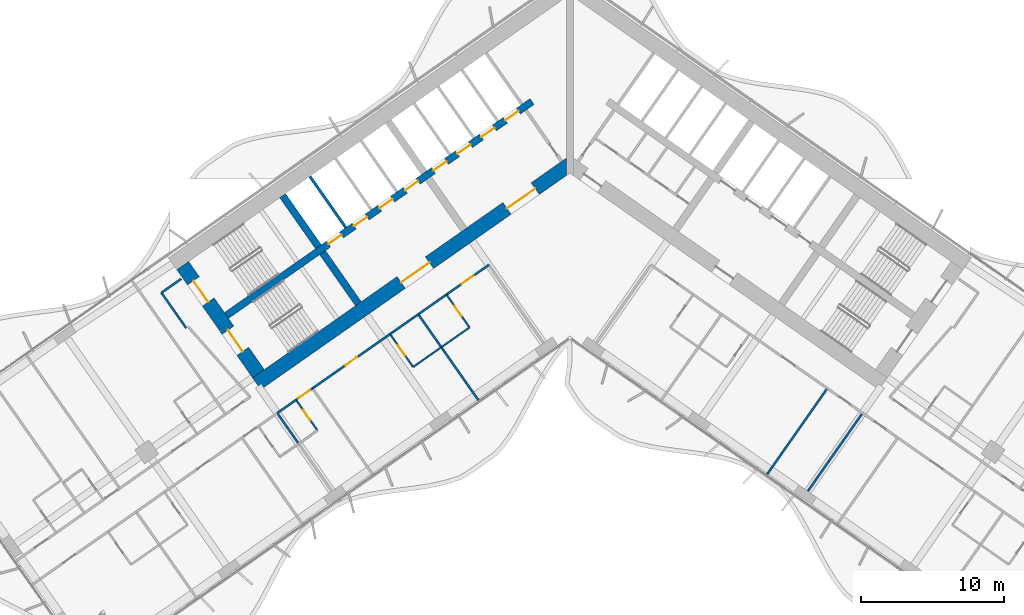
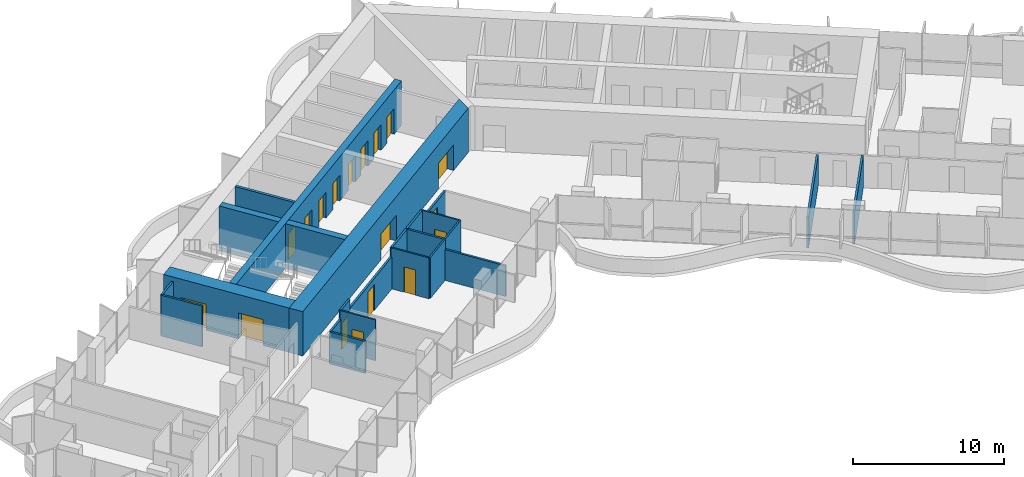
# One storey, part 13 of 23: 24 walls, 18 doors, 18 openings.
"""IFC4 building model written with IfcOpenShell, lengths in metres."""

from ifc_helpers import new_model, si_unit, direction, frame, frame_2d, origin, place, context, subcontext, project, spatial, polyline, rectangle, outline, extrude, material, layer, layer_set, type_object, element, fill, save


model = new_model("IFC4")

# Units and contexts
model_context = context("Model", 3, precision=1e-05, world=origin(), true_north=direction((0.0, 1.0)))
body_context = subcontext(model_context, "Body", "Model", "MODEL_VIEW")
ifc_project = project(units=[si_unit("LENGTHUNIT", "METRE"), si_unit("AREAUNIT", "SQUARE_METRE"), si_unit("VOLUMEUNIT", "CUBIC_METRE"), si_unit("PLANEANGLEUNIT", "RADIAN"), si_unit("MASSUNIT", "GRAM", prefix="KILO")], contexts=[model_context])

# Site, building, storey
site_placement = place(None, origin())
site = spatial("IfcSite", under=ifc_project, at=site_placement, CompositionType="ELEMENT")
building_placement = place(site_placement, origin())
building = spatial("IfcBuilding", under=site, at=building_placement, Name="Tel Ilan Convention Tower", CompositionType="ELEMENT")
storey_placement = place(building_placement, frame((0.0, 0.0, 83.300048828125)))
storey = spatial("IfcBuildingStorey", under=building, at=storey_placement, Name="L16", CompositionType="ELEMENT", Elevation=83.300048828125)

# Wall, openings, doors
ifc_material_1 = material(Name="Concrete C60/75", Category="concrete")
ifc_layer_1 = layer(ifc_material_1, 1.0)
ifc_layer_set_1 = layer_set([ifc_layer_1], Name="Core Shear Wall 1000 mm C60/75")
wall_type_1 = type_object("IfcWallType", Name="Core Shear Wall 1000 mm C60/75", PredefinedType="SHEAR", material=ifc_layer_set_1)
wall_1_placement = place(storey_placement, frame((0.036865234375, -0.584716796875, 0.0), z_axis=(0.0, 0.0, 1.0), x_axis=(-0.819157152511, -0.573569140985, 0.0)))
wall_1 = element("IfcWall", 1, at=wall_1_placement, inside=storey, type_object=wall_type_1, Name="L16 core wall W-front", PredefinedType="SHEAR", context=body_context, shape_type="SweptSolid", body=[
    extrude(outline(polyline([(26.69482421875, 0.500244140625), (0.7001953125, 0.499755859375), (0.0, -0.5), (26.69482421875, -0.499755859375), (26.69482421875, 0.500244140625)])), origin(), (0.0, 0.0, 1.0), 3.599853515625),
])
opening_1_placement = place(wall_1_placement, frame((2.994873046875, 0.0, 0.0)))
opening_1 = element("IfcOpeningElement", 2, at=opening_1_placement, cuts=wall_1, Name="Opening CD1505", PredefinedType="OPENING", context=body_context, shape_type="SweptSolid", body=[
    extrude(rectangle(XDim=2.39990234375, YDim=2.10009765625, at=frame_2d((1.199951171875, 1.050048828125))), frame((0.0, 0.510009765625, 0.0), z_axis=(0.0, -1.0, 0.0), x_axis=(1.0, 0.0, 0.0)), (0.0, 0.0, 1.0), 1.02001953125),
])
opening_2_placement = place(wall_1_placement, frame((11.994873046875, 0.0, 0.0)))
opening_2 = element("IfcOpeningElement", 3, at=opening_2_placement, cuts=wall_1, Name="Opening CD1506", PredefinedType="OPENING", context=body_context, shape_type="SweptSolid", body=[
    extrude(rectangle(XDim=2.39990234375, YDim=2.10009765625, at=frame_2d((1.199951171875, 1.050048828125))), frame((0.0, 0.510009765625, 0.0), z_axis=(0.0, -1.0, 0.0), x_axis=(1.0, 0.0, 0.0)), (0.0, 0.0, 1.0), 1.02001953125),
])
ifc_material_2 = material(Name="Glazed Aluminium Door Leaf", Category="aluminium")
door_type_1 = type_object("IfcDoorType", Name="Lobby Opening Door 2400 x 2100 FD60S", OperationType="NOTDEFINED", PredefinedType="DOOR", material=ifc_material_2)
door_1_placement = place(opening_1_placement, origin())
door_1 = element("IfcDoor", 4, at=door_1_placement, inside=storey, type_object=door_type_1, Name="Lift Lobby LR1-LR4 opening", OperationType="DOUBLE_DOOR_SINGLE_SWING", OverallHeight=2.10009765625, OverallWidth=2.39990234375, PredefinedType="DOOR", context=body_context, shape_type="SweptSolid", body=[
    extrude(rectangle(XDim=2.39990234375, YDim=2.10009765625, at=frame_2d((1.199951171875, 1.050048828125))), frame((0.0, 0.02490234375, 0.0), z_axis=(0.0, -1.0, 0.0), x_axis=(1.0, 0.0, 0.0)), (0.0, 0.0, 1.0), 0.050048828125),
])
fill(opening_1, door_1)
door_2_placement = place(opening_2_placement, origin())
door_2 = element("IfcDoor", 5, at=door_2_placement, inside=storey, type_object=door_type_1, Name="Lift Lobby LR5-LR8 opening", OperationType="DOUBLE_DOOR_SINGLE_SWING", OverallHeight=2.10009765625, OverallWidth=2.39990234375, PredefinedType="DOOR", context=body_context, shape_type="SweptSolid", body=[
    extrude(rectangle(XDim=2.39990234375, YDim=2.10009765625, at=frame_2d((1.199951171875, 1.050048828125))), frame((0.0, 0.02490234375, 0.0), z_axis=(0.0, -1.0, 0.0), x_axis=(1.0, 0.0, 0.0)), (0.0, 0.0, 1.0), 0.050048828125),
])
fill(opening_2, door_2)

wall_2_placement = place(storey_placement, frame((-21.70751953125, -15.19970703125, 0.0), z_axis=(0.0, 0.0, 1.0), x_axis=(-0.573576324356, 0.819152122709, 0.0)))
wall_2 = element("IfcWall", 6, at=wall_2_placement, inside=storey, type_object=wall_type_1, Name="L16 core wall W-end", PredefinedType="SHEAR", context=body_context, shape_type="SweptSolid", body=[
    extrude(outline(polyline([(0.0, 0.5), (0.0, -0.5), (9.199951171875, -0.5), (9.199951171875, 0.5), (0.0, 0.5)])), origin(), (0.0, 0.0, 1.0), 3.599853515625),
])
opening_3_placement = place(wall_2_placement, frame((6.10009765625, 0.0, 0.0)))
opening_3 = element("IfcOpeningElement", 7, at=opening_3_placement, cuts=wall_2, Name="Opening SD1501", PredefinedType="OPENING", context=body_context, shape_type="SweptSolid", body=[
    extrude(rectangle(XDim=1.800048828125, YDim=2.10009765625, at=frame_2d((0.89990234375, 1.050048828125))), frame((0.0, 0.510009765625, 0.0), z_axis=(0.0, -1.0, 0.0), x_axis=(1.0, 0.0, 0.0)), (0.0, 0.0, 1.0), 1.02001953125),
])
opening_4_placement = place(wall_2_placement, frame((1.89990234375, 0.0, 0.0)))
opening_4 = element("IfcOpeningElement", 8, at=opening_4_placement, cuts=wall_2, Name="Opening SD1502", PredefinedType="OPENING", context=body_context, shape_type="SweptSolid", body=[
    extrude(rectangle(XDim=1.800048828125, YDim=2.10009765625, at=frame_2d((0.89990234375, 1.050048828125))), frame((0.0, 0.510009765625, 0.0), z_axis=(0.0, -1.0, 0.0), x_axis=(1.0, 0.0, 0.0)), (0.0, 0.0, 1.0), 1.02001953125),
])
ifc_material_3 = material(Name="Galvanised Steel Door Leaf", Category="steel")
door_type_2 = type_object("IfcDoorType", Name="Stair Fire Door 1800 x 2100 FD60S", OperationType="NOTDEFINED", PredefinedType="DOOR", material=ifc_material_3)
door_3_placement = place(opening_3_placement, origin())
door_3 = element("IfcDoor", 9, at=door_3_placement, inside=storey, type_object=door_type_2, Name="Stair S1 door", OperationType="DOUBLE_DOOR_SINGLE_SWING", OverallHeight=2.10009765625, OverallWidth=1.800048828125, PredefinedType="DOOR", context=body_context, shape_type="SweptSolid", body=[
    extrude(rectangle(XDim=1.800048828125, YDim=2.10009765625, at=frame_2d((0.89990234375, 1.050048828125))), frame((0.0, 0.02490234375, 0.0), z_axis=(0.0, -1.0, 0.0), x_axis=(1.0, 0.0, 0.0)), (0.0, 0.0, 1.0), 0.050048828125),
])
fill(opening_3, door_3)
door_4_placement = place(opening_4_placement, origin())
door_4 = element("IfcDoor", 10, at=door_4_placement, inside=storey, type_object=door_type_2, Name="Stair S2 door", OperationType="DOUBLE_DOOR_SINGLE_SWING", OverallHeight=2.10009765625, OverallWidth=1.800048828125, PredefinedType="DOOR", context=body_context, shape_type="SweptSolid", body=[
    extrude(rectangle(XDim=1.800048828125, YDim=2.10009765625, at=frame_2d((0.89990234375, 1.050048828125))), frame((0.0, 0.02490234375, 0.0), z_axis=(0.0, -1.0, 0.0), x_axis=(1.0, 0.0, 0.0)), (0.0, 0.0, 1.0), 0.050048828125),
])
fill(opening_4, door_4)

# Walls
ifc_material_4 = material(Name="Concrete C60/75", Category="concrete")
ifc_layer_2 = layer(ifc_material_4, 0.5)
ifc_layer_set_2 = layer_set([ifc_layer_2], Name="Core Shear Wall 500 mm C60/75")
wall_type_2 = type_object("IfcWallType", Name="Core Shear Wall 500 mm C60/75", PredefinedType="SHEAR", material=ifc_layer_set_2)
wall_3_placement = place(storey_placement, frame((-14.74462890625, -10.324462890625, 0.0), z_axis=(0.0, 0.0, 1.0), x_axis=(-0.57356780395, 0.819158088694, 0.0)))
element("IfcWall", 11, at=wall_3_placement, inside=storey, type_object=wall_type_2, Name="L16 core wall W-cross2-1", PredefinedType="SHEAR", context=body_context, shape_type="SweptSolid", body=[
    extrude(outline(polyline([(4.35009765625, 0.250244140625), (0.0, 0.25), (0.0, -0.25), (4.35009765625, -0.25), (4.35009765625, 0.250244140625)])), origin(), (0.0, 0.0, 1.0), 3.599853515625),
])
wall_4_placement = place(storey_placement, frame((-17.526611328125, -6.3515625, 0.0), z_axis=(0.0, 0.0, 1.0), x_axis=(-0.573530143085, 0.819184457233, 0.0)))
element("IfcWall", 12, at=wall_4_placement, inside=storey, type_object=wall_type_2, Name="L16 core wall W-cross2-2", PredefinedType="SHEAR", context=body_context, shape_type="SweptSolid", body=[
    extrude(outline(polyline([(4.35009765625, -0.249755859375), (4.35009765625, 0.250244140625), (0.0, 0.25), (0.0, -0.25), (4.35009765625, -0.249755859375)])), origin(), (0.0, 0.0, 1.0), 3.599853515625),
])

# Wall, openings, doors
wall_5_placement = place(storey_placement, frame((-2.638427734375, 3.76806640625, 0.0), z_axis=(0.0, 0.0, 1.0), x_axis=(-0.819148977158, -0.573580816643, 0.0)))
wall_5 = element("IfcWall", 13, at=wall_5_placement, inside=storey, type_object=wall_type_2, Name="L16 core wall W-spine", PredefinedType="SHEAR", context=body_context, shape_type="SweptSolid", body=[
    extrude(outline(polyline([(26.0, 0.249755859375), (0.0, 0.25), (0.0, -0.25), (26.0, -0.250244140625), (26.0, 0.249755859375)])), origin(), (0.0, 0.0, 1.0), 3.599853515625),
])
opening_5_placement = place(wall_5_placement, frame((1.168701171875, 0.0, 0.0)))
opening_5 = element("IfcOpeningElement", 14, at=opening_5_placement, cuts=wall_5, Name="Opening LD1504", PredefinedType="OPENING", context=body_context, shape_type="SweptSolid", body=[
    extrude(rectangle(XDim=1.10009765625, YDim=2.10009765625, at=frame_2d((0.550048828125, 1.050048828125))), frame((0.0, 0.260009765625, 0.0), z_axis=(0.0, -1.0, 0.0), x_axis=(1.0, 0.0, 0.0)), (0.0, 0.0, 1.0), 0.52001953125),
])
opening_6_placement = place(wall_5_placement, frame((3.206298828125, 0.0, 0.0)))
opening_6 = element("IfcOpeningElement", 15, at=opening_6_placement, cuts=wall_5, Name="Opening LD1505", PredefinedType="OPENING", context=body_context, shape_type="SweptSolid", body=[
    extrude(rectangle(XDim=1.10009765625, YDim=2.10009765625, at=frame_2d((0.550048828125, 1.050048828125))), frame((0.0, 0.260009765625, 0.0), z_axis=(0.0, -1.0, 0.0), x_axis=(1.0, 0.0, 0.0)), (0.0, 0.0, 1.0), 0.52001953125),
])
opening_7_placement = place(wall_5_placement, frame((5.24365234375, 0.0, 0.0)))
opening_7 = element("IfcOpeningElement", 16, at=opening_7_placement, cuts=wall_5, Name="Opening LD1506", PredefinedType="OPENING", context=body_context, shape_type="SweptSolid", body=[
    extrude(rectangle(XDim=1.10009765625, YDim=2.10009765625, at=frame_2d((0.550048828125, 1.050048828125))), frame((0.0, 0.260009765625, 0.0), z_axis=(0.0, -1.0, 0.0), x_axis=(1.0, 0.0, 0.0)), (0.0, 0.0, 1.0), 0.52001953125),
])
opening_8_placement = place(wall_5_placement, frame((7.28125, 0.0, 0.0)))
opening_8 = element("IfcOpeningElement", 17, at=opening_8_placement, cuts=wall_5, Name="Opening LD1507", PredefinedType="OPENING", context=body_context, shape_type="SweptSolid", body=[
    extrude(rectangle(XDim=1.10009765625, YDim=2.10009765625, at=frame_2d((0.550048828125, 1.050048828125))), frame((0.0, 0.260009765625, 0.0), z_axis=(0.0, -1.0, 0.0), x_axis=(1.0, 0.0, 0.0)), (0.0, 0.0, 1.0), 0.52001953125),
])
opening_9_placement = place(wall_5_placement, frame((9.6875, 0.0, 0.0)))
opening_9 = element("IfcOpeningElement", 18, at=opening_9_placement, cuts=wall_5, Name="Opening LD1508", PredefinedType="OPENING", context=body_context, shape_type="SweptSolid", body=[
    extrude(rectangle(XDim=1.10009765625, YDim=2.10009765625, at=frame_2d((0.550048828125, 1.050048828125))), frame((0.0, 0.260009765625, 0.0), z_axis=(0.0, -1.0, 0.0), x_axis=(1.0, 0.0, 0.0)), (0.0, 0.0, 1.0), 0.52001953125),
])
opening_10_placement = place(wall_5_placement, frame((11.862548828125, 0.0, 0.0)))
opening_10 = element("IfcOpeningElement", 19, at=opening_10_placement, cuts=wall_5, Name="Opening LD1509", PredefinedType="OPENING", context=body_context, shape_type="SweptSolid", body=[
    extrude(rectangle(XDim=1.10009765625, YDim=2.10009765625, at=frame_2d((0.550048828125, 1.050048828125))), frame((0.0, 0.260009765625, 0.0), z_axis=(0.0, -1.0, 0.0), x_axis=(1.0, 0.0, 0.0)), (0.0, 0.0, 1.0), 0.52001953125),
])
opening_11_placement = place(wall_5_placement, frame((14.03759765625, 0.0, 0.0)))
opening_11 = element("IfcOpeningElement", 20, at=opening_11_placement, cuts=wall_5, Name="Opening LD1510", PredefinedType="OPENING", context=body_context, shape_type="SweptSolid", body=[
    extrude(rectangle(XDim=1.10009765625, YDim=2.10009765625, at=frame_2d((0.550048828125, 1.050048828125))), frame((0.0, 0.260009765625, 0.0), z_axis=(0.0, -1.0, 0.0), x_axis=(1.0, 0.0, 0.0)), (0.0, 0.0, 1.0), 0.52001953125),
])
opening_12_placement = place(wall_5_placement, frame((16.21240234375, 0.0, 0.0)))
opening_12 = element("IfcOpeningElement", 21, at=opening_12_placement, cuts=wall_5, Name="Opening LD1511", PredefinedType="OPENING", context=body_context, shape_type="SweptSolid", body=[
    extrude(rectangle(XDim=1.10009765625, YDim=2.10009765625, at=frame_2d((0.550048828125, 1.050048828125))), frame((0.0, 0.260009765625, 0.0), z_axis=(0.0, -1.0, 0.0), x_axis=(1.0, 0.0, 0.0)), (0.0, 0.0, 1.0), 0.52001953125),
])
ifc_material_5 = material(Name="Stainless Steel Sliding Door Leaf", Category="steel")
door_type_3 = type_object("IfcDoorType", Name="Lift Landing Door 1100 x 2100 FD120", OperationType="NOTDEFINED", PredefinedType="DOOR", material=ifc_material_5)
door_5_placement = place(opening_5_placement, origin())
door_5 = element("IfcDoor", 22, at=door_5_placement, inside=storey, type_object=door_type_3, Name="Lift LR1 landing door", OperationType="SLIDING_TO_LEFT", OverallHeight=2.10009765625, OverallWidth=1.10009765625, PredefinedType="DOOR", context=body_context, shape_type="SweptSolid", body=[
    extrude(rectangle(XDim=1.10009765625, YDim=2.10009765625, at=frame_2d((0.550048828125, 1.050048828125))), frame((0.0, 0.02490234375, 0.0), z_axis=(0.0, -1.0, 0.0), x_axis=(1.0, 0.0, 0.0)), (0.0, 0.0, 1.0), 0.050048828125),
])
fill(opening_5, door_5)
door_6_placement = place(opening_6_placement, origin())
door_6 = element("IfcDoor", 23, at=door_6_placement, inside=storey, type_object=door_type_3, Name="Lift LR2 landing door", OperationType="SLIDING_TO_RIGHT", OverallHeight=2.10009765625, OverallWidth=1.10009765625, PredefinedType="DOOR", context=body_context, shape_type="SweptSolid", body=[
    extrude(rectangle(XDim=1.10009765625, YDim=2.10009765625, at=frame_2d((0.550048828125, 1.050048828125))), frame((0.0, 0.02490234375, 0.0), z_axis=(0.0, -1.0, 0.0), x_axis=(1.0, 0.0, 0.0)), (0.0, 0.0, 1.0), 0.050048828125),
])
fill(opening_6, door_6)
door_7_placement = place(opening_7_placement, origin())
door_7 = element("IfcDoor", 24, at=door_7_placement, inside=storey, type_object=door_type_3, Name="Lift LR3 landing door", OperationType="SLIDING_TO_LEFT", OverallHeight=2.10009765625, OverallWidth=1.10009765625, PredefinedType="DOOR", context=body_context, shape_type="SweptSolid", body=[
    extrude(rectangle(XDim=1.10009765625, YDim=2.10009765625, at=frame_2d((0.550048828125, 1.050048828125))), frame((0.0, 0.02490234375, 0.0), z_axis=(0.0, -1.0, 0.0), x_axis=(1.0, 0.0, 0.0)), (0.0, 0.0, 1.0), 0.050048828125),
])
fill(opening_7, door_7)
door_8_placement = place(opening_8_placement, origin())
door_8 = element("IfcDoor", 25, at=door_8_placement, inside=storey, type_object=door_type_3, Name="Lift LR4 landing door", OperationType="SLIDING_TO_RIGHT", OverallHeight=2.10009765625, OverallWidth=1.10009765625, PredefinedType="DOOR", context=body_context, shape_type="SweptSolid", body=[
    extrude(rectangle(XDim=1.10009765625, YDim=2.10009765625, at=frame_2d((0.550048828125, 1.050048828125))), frame((0.0, 0.02490234375, 0.0), z_axis=(0.0, -1.0, 0.0), x_axis=(1.0, 0.0, 0.0)), (0.0, 0.0, 1.0), 0.050048828125),
])
fill(opening_8, door_8)
door_9_placement = place(opening_9_placement, origin())
door_9 = element("IfcDoor", 26, at=door_9_placement, inside=storey, type_object=door_type_3, Name="Lift LR5 landing door", OperationType="SLIDING_TO_LEFT", OverallHeight=2.10009765625, OverallWidth=1.10009765625, PredefinedType="DOOR", context=body_context, shape_type="SweptSolid", body=[
    extrude(rectangle(XDim=1.10009765625, YDim=2.10009765625, at=frame_2d((0.550048828125, 1.050048828125))), frame((0.0, 0.02490234375, 0.0), z_axis=(0.0, -1.0, 0.0), x_axis=(1.0, 0.0, 0.0)), (0.0, 0.0, 1.0), 0.050048828125),
])
fill(opening_9, door_9)
door_10_placement = place(opening_10_placement, origin())
door_10 = element("IfcDoor", 27, at=door_10_placement, inside=storey, type_object=door_type_3, Name="Lift LR6 landing door", OperationType="SLIDING_TO_RIGHT", OverallHeight=2.10009765625, OverallWidth=1.10009765625, PredefinedType="DOOR", context=body_context, shape_type="SweptSolid", body=[
    extrude(rectangle(XDim=1.10009765625, YDim=2.10009765625, at=frame_2d((0.550048828125, 1.050048828125))), frame((0.0, 0.02490234375, 0.0), z_axis=(0.0, -1.0, 0.0), x_axis=(1.0, 0.0, 0.0)), (0.0, 0.0, 1.0), 0.050048828125),
])
fill(opening_10, door_10)
door_11_placement = place(opening_11_placement, origin())
door_11 = element("IfcDoor", 28, at=door_11_placement, inside=storey, type_object=door_type_3, Name="Lift LR7 landing door", OperationType="SLIDING_TO_LEFT", OverallHeight=2.10009765625, OverallWidth=1.10009765625, PredefinedType="DOOR", context=body_context, shape_type="SweptSolid", body=[
    extrude(rectangle(XDim=1.10009765625, YDim=2.10009765625, at=frame_2d((0.550048828125, 1.050048828125))), frame((0.0, 0.02490234375, 0.0), z_axis=(0.0, -1.0, 0.0), x_axis=(1.0, 0.0, 0.0)), (0.0, 0.0, 1.0), 0.050048828125),
])
fill(opening_11, door_11)
door_12_placement = place(opening_12_placement, origin())
door_12 = element("IfcDoor", 29, at=door_12_placement, inside=storey, type_object=door_type_3, Name="Lift LR8 landing door", OperationType="SLIDING_TO_RIGHT", OverallHeight=2.10009765625, OverallWidth=1.10009765625, PredefinedType="DOOR", context=body_context, shape_type="SweptSolid", body=[
    extrude(rectangle(XDim=1.10009765625, YDim=2.10009765625, at=frame_2d((0.550048828125, 1.050048828125))), frame((0.0, 0.02490234375, 0.0), z_axis=(0.0, -1.0, 0.0), x_axis=(1.0, 0.0, 0.0)), (0.0, 0.0, 1.0), 0.050048828125),
])
fill(opening_12, door_12)

# Wall, opening, door
ifc_material_6 = material(Name="Plasterboard on Steel Studs", Category="steel")
ifc_layer_3 = layer(ifc_material_6, 0.14990234375)
ifc_layer_set_3 = layer_set([ifc_layer_3], Name="Fire-rated Partition 150 EI 60")
wall_type_3 = type_object("IfcWallType", Name="Fire-rated Partition 150 EI 60", PredefinedType="PARTITIONING", material=ifc_layer_set_3)
wall_6_placement = place(storey_placement, frame((-5.651611328125, -7.61962890625, 0.0), z_axis=(0.0, 0.0, 1.0), x_axis=(-0.819149096931, -0.573580645591, 0.0)))
wall_6 = element("IfcWall", 30, at=wall_6_placement, inside=storey, type_object=wall_type_3, Name="Partition 024", PredefinedType="PARTITIONING", context=body_context, shape_type="SweptSolid", body=[
    extrude(rectangle(XDim=3.600830078125, YDim=0.14990234375, at=frame_2d((1.80029296875, 0.0))), origin(), (0.0, 0.0, 1.0), 2.599853515625),
])
opening_13_placement = place(wall_6_placement, frame((1.300048828125, 0.0, 0.0)))
opening_13 = element("IfcOpeningElement", 31, at=opening_13_placement, cuts=wall_6, Name="Opening L15-002", PredefinedType="OPENING", context=body_context, shape_type="SweptSolid", body=[
    extrude(rectangle(XDim=1.0, YDim=2.10009765625, at=frame_2d((0.5, 1.050048828125))), frame((0.0, 0.0849609375, 0.0), z_axis=(0.0, -1.0, 0.0), x_axis=(1.0, 0.0, 0.0)), (0.0, 0.0, 1.0), 0.169921875),
])
ifc_material_7 = material(Name="Timber Door Leaf in Steel Frame", Category="steel")
door_type_4 = type_object("IfcDoorType", Name="Hotel Room Entrance Fire Door 1000x2100", OperationType="NOTDEFINED", PredefinedType="DOOR", material=ifc_material_7)
door_13_placement = place(opening_13_placement, origin())
door_13 = element("IfcDoor", 32, at=door_13_placement, inside=storey, type_object=door_type_4, Name="Door L15-002", OperationType="SINGLE_SWING_RIGHT", OverallHeight=2.10009765625, OverallWidth=1.0, PredefinedType="DOOR", context=body_context, shape_type="SweptSolid", body=[
    extrude(rectangle(XDim=1.0, YDim=2.10009765625, at=frame_2d((0.5, 1.050048828125))), frame((0.0, 0.02490234375, 0.0), z_axis=(0.0, -1.0, 0.0), x_axis=(1.0, 0.0, 0.0)), (0.0, 0.0, 1.0), 0.050048828125),
])
fill(opening_13, door_13)

# Wall
wall_7_placement = place(storey_placement, frame((-8.598876953125, -9.683349609375, 0.0), z_axis=(0.0, 0.0, 1.0), x_axis=(-0.819146032251, -0.573585022335, 0.0)))
element("IfcWall", 33, at=wall_7_placement, inside=storey, type_object=wall_type_3, Name="Partition 025", PredefinedType="PARTITIONING", context=body_context, shape_type="SweptSolid", body=[
    extrude(rectangle(XDim=2.404052734375, YDim=0.14990234375, at=frame_2d((1.2021484375, 0.0))), origin(), (0.0, 0.0, 1.0), 3.320068359375),
])

# Wall, opening, door
wall_8_placement = place(storey_placement, frame((-12.53173828125, -12.43701171875, 0.0), z_axis=(0.0, 0.0, 1.0), x_axis=(-0.819153746897, -0.573574004767, 0.0)))
wall_8 = element("IfcWall", 34, at=wall_8_placement, inside=storey, type_object=wall_type_3, Name="Partition 026", PredefinedType="PARTITIONING", context=body_context, shape_type="SweptSolid", body=[
    extrude(rectangle(XDim=6.60302734375, YDim=0.14990234375, at=frame_2d((3.301513671875, 0.0))), origin(), (0.0, 0.0, 1.0), 2.599853515625),
])
opening_14_placement = place(wall_8_placement, frame((2.801025390625, 0.0, 0.0)))
opening_14 = element("IfcOpeningElement", 35, at=opening_14_placement, cuts=wall_8, Name="Opening L15-004", PredefinedType="OPENING", context=body_context, shape_type="SweptSolid", body=[
    extrude(rectangle(XDim=1.0, YDim=2.10009765625, at=frame_2d((0.5, 1.050048828125))), frame((0.0, 0.0849609375, 0.0), z_axis=(0.0, -1.0, 0.0), x_axis=(1.0, 0.0, 0.0)), (0.0, 0.0, 1.0), 0.169921875),
])
door_14_placement = place(opening_14_placement, origin())
door_14 = element("IfcDoor", 36, at=door_14_placement, inside=storey, type_object=door_type_4, Name="Door L15-004", OperationType="SINGLE_SWING_LEFT", OverallHeight=2.10009765625, OverallWidth=1.0, PredefinedType="DOOR", context=body_context, shape_type="SweptSolid", body=[
    extrude(rectangle(XDim=1.0, YDim=2.10009765625, at=frame_2d((0.5, 1.050048828125))), frame((0.0, 0.02490234375, 0.0), z_axis=(0.0, -1.0, 0.0), x_axis=(1.0, 0.0, 0.0)), (0.0, 0.0, 1.0), 0.050048828125),
])
fill(opening_14, door_14)

# Wall
wall_9_placement = place(storey_placement, frame((-10.56494140625, -11.06005859375, 0.0), z_axis=(0.0, 0.0, 1.0), x_axis=(-0.819193748, -0.57351687267, 0.0)))
element("IfcWall", 37, at=wall_9_placement, inside=storey, type_object=wall_type_3, Name="Partition 027", PredefinedType="PARTITIONING", context=body_context, shape_type="SweptSolid", body=[
    extrude(rectangle(XDim=2.40380859375, YDim=0.14990234375, at=frame_2d((1.201904296875, 0.0))), origin(), (0.0, 0.0, 1.0), 3.320068359375),
])

# Wall, opening, door
wall_10_placement = place(storey_placement, frame((-17.937255859375, -16.22216796875, 0.0), z_axis=(0.0, 0.0, 1.0), x_axis=(-0.819199220913, -0.573509055252, 0.0)))
wall_10 = element("IfcWall", 38, at=wall_10_placement, inside=storey, type_object=wall_type_3, Name="Partition 028", PredefinedType="PARTITIONING", context=body_context, shape_type="SweptSolid", body=[
    extrude(rectangle(XDim=1.403076171875, YDim=0.14990234375, at=frame_2d((0.70166015625, 0.0))), origin(), (0.0, 0.0, 1.0), 3.320068359375),
])
opening_15_placement = place(wall_10_placement, frame((0.201904296875, 0.0, 0.0)))
opening_15 = element("IfcOpeningElement", 39, at=opening_15_placement, cuts=wall_10, Name="Opening L15-006", PredefinedType="OPENING", context=body_context, shape_type="SweptSolid", body=[
    extrude(rectangle(XDim=1.0, YDim=2.10009765625, at=frame_2d((0.5, 1.050048828125))), frame((0.0, 0.0849609375, 0.0), z_axis=(0.0, -1.0, 0.0), x_axis=(1.0, 0.0, 0.0)), (0.0, 0.0, 1.0), 0.169921875),
])
door_15_placement = place(opening_15_placement, origin())
door_15 = element("IfcDoor", 40, at=door_15_placement, inside=storey, type_object=door_type_4, Name="Door L15-006", OperationType="SINGLE_SWING_LEFT", OverallHeight=2.10009765625, OverallWidth=1.0, PredefinedType="DOOR", context=body_context, shape_type="SweptSolid", body=[
    extrude(rectangle(XDim=1.0, YDim=2.10009765625, at=frame_2d((0.5, 1.050048828125))), frame((0.0, 0.02490234375, 0.0), z_axis=(0.0, -1.0, 0.0), x_axis=(1.0, 0.0, 0.0)), (0.0, 0.0, 1.0), 0.050048828125),
])
fill(opening_15, door_15)

# Walls
wall_11_placement = place(storey_placement, frame((-19.083984375, -17.025146484375, 0.0), z_axis=(0.0, 0.0, 1.0), x_axis=(-0.819117502046, -0.573625764625, 0.0)))
element("IfcWall", 41, at=wall_11_placement, inside=storey, type_object=wall_type_3, Name="Partition 029", PredefinedType="PARTITIONING", context=body_context, shape_type="SweptSolid", body=[
    extrude(rectangle(XDim=1.60400390625, YDim=0.14990234375, at=frame_2d((0.802001953125, 0.0))), origin(), (0.0, 0.0, 1.0), 2.599853515625),
])
wall_12_placement = place(storey_placement, frame((17.93896484375, -16.223388671875, 0.0), z_axis=(0.0, 0.0, 1.0), x_axis=(-0.573594765376, -0.819139209862, 0.0)))
element("IfcWall", 42, at=wall_12_placement, inside=storey, type_object=wall_type_3, Name="Partition 055", PredefinedType="PARTITIONING", context=body_context, shape_type="SweptSolid", body=[
    extrude(rectangle(XDim=7.300048828125, YDim=0.14990234375, at=frame_2d((3.64990234375, 0.0))), origin(), (0.0, 0.0, 1.0), 2.5),
])
wall_13_placement = place(storey_placement, frame((20.396484375, -17.944091796875, 0.0), z_axis=(0.0, 0.0, 1.0), x_axis=(-0.57359826181, -0.819136761505, 0.0)))
element("IfcWall", 43, at=wall_13_placement, inside=storey, type_object=wall_type_3, Name="Partition 056", PredefinedType="PARTITIONING", context=body_context, shape_type="SweptSolid", body=[
    extrude(rectangle(XDim=6.630126953125, YDim=0.14990234375, at=frame_2d((3.31494140625, 0.0))), origin(), (0.0, 0.0, 1.0), 2.599853515625),
])
wall_14_placement = place(storey_placement, frame((-26.74609375, -12.013671875, 0.0), z_axis=(0.0, 0.0, 1.0), x_axis=(-0.573560650686, 0.819163097304, 0.0)))
element("IfcWall", 44, at=wall_14_placement, inside=storey, type_object=wall_type_3, Name="Partition 065", PredefinedType="PARTITIONING", context=body_context, shape_type="SweptSolid", body=[
    extrude(rectangle(XDim=3.0, YDim=0.14990234375, at=frame_2d((1.5, 0.0))), origin(), (0.0, 0.0, 1.0), 3.320068359375),
])
wall_15_placement = place(storey_placement, frame((-28.466796875, -9.55615234375, 0.0), z_axis=(0.0, 0.0, 1.0), x_axis=(0.819109000826, 0.573637903879, 0.0)))
element("IfcWall", 45, at=wall_15_placement, inside=storey, type_object=wall_type_3, Name="Partition 066", PredefinedType="PARTITIONING", context=body_context, shape_type="SweptSolid", body=[
    extrude(rectangle(XDim=1.679931640625, YDim=0.14990234375, at=frame_2d((0.83984375, 0.0))), origin(), (0.0, 0.0, 1.0), 3.320068359375),
])
wall_16_placement = place(storey_placement, frame((-6.37939453125, -17.041015625, 0.0), z_axis=(0.0, 0.0, 1.0), x_axis=(-0.573564311442, 0.819160534108, 0.0)))
element("IfcWall", 46, at=wall_16_placement, inside=storey, type_object=wall_type_3, Name="Partition 081", PredefinedType="PARTITIONING", context=body_context, shape_type="SweptSolid", body=[
    extrude(rectangle(XDim=4.499267578125, YDim=0.14990234375, at=frame_2d((2.24951171875, 0.0))), origin(), (0.0, 0.0, 1.0), 2.5),
])
wall_17_placement = place(storey_placement, frame((-8.96044921875, -13.354736328125, 0.0), z_axis=(0.0, 0.0, 1.0), x_axis=(-0.573608623498, 0.819129505664, 0.0)))
element("IfcWall", 47, at=wall_17_placement, inside=storey, type_object=wall_type_3, Name="Partition 082", PredefinedType="PARTITIONING", context=body_context, shape_type="SweptSolid", body=[
    extrude(rectangle(XDim=2.800048828125, YDim=0.14990234375, at=frame_2d((1.39990234375, 0.0))), origin(), (0.0, 0.0, 1.0), 3.320068359375),
])
wall_18_placement = place(storey_placement, frame((-18.905029296875, -20.07373046875, 0.0), z_axis=(0.0, 0.0, 1.0), x_axis=(-0.573645091666, 0.819103967032, 0.0)))
element("IfcWall", 48, at=wall_18_placement, inside=storey, type_object=wall_type_3, Name="Partition 089", PredefinedType="PARTITIONING", context=body_context, shape_type="SweptSolid", body=[
    extrude(rectangle(XDim=2.599853515625, YDim=0.14990234375, at=frame_2d((1.2998046875, 0.0))), origin(), (0.0, 0.0, 1.0), 2.599853515625),
])
ifc_material_8 = material(Name="Concrete C30/37", Category="concrete")
ifc_layer_4 = layer(ifc_material_8, 0.199951171875)
ifc_layer_set_4 = layer_set([ifc_layer_4], Name="Lift Shaft Wall 200 mm C30/37")
wall_type_4 = type_object("IfcWallType", Name="Lift Shaft Wall 200 mm C30/37", PredefinedType="SOLIDWALL", material=ifc_layer_set_4)
wall_19_placement = place(storey_placement, frame((-15.6220703125, -5.017822265625, 0.0), z_axis=(0.0, 0.0, 1.0), x_axis=(-0.573594173421, 0.819139624372, 0.0)))
element("IfcWall", 49, at=wall_19_placement, inside=storey, type_object=wall_type_4, Name="L16 core wall bank-W2-p2", PredefinedType="SOLIDWALL", context=body_context, shape_type="SweptSolid", body=[
    extrude(rectangle(XDim=4.349853515625, YDim=0.199951171875, at=frame_2d((2.1748046875, 0.0))), origin(), (0.0, 0.0, 1.0), 3.599853515625),
])
ifc_material_9 = material(Name="Plasterboard on Steel Studs", Category="steel")
ifc_layer_5 = layer(ifc_material_9, 0.1201171875)
ifc_layer_set_5 = layer_set([ifc_layer_5], Name="Moisture-resistant Partition 120")
wall_type_5 = type_object("IfcWallType", Name="Moisture-resistant Partition 120", PredefinedType="PARTITIONING", material=ifc_layer_set_5)
wall_20_placement = place(storey_placement, frame((-8.9599609375, -13.35546875, 0.0), z_axis=(0.0, 0.0, 1.0), x_axis=(0.819188907105, 0.573523787192, 0.0)))
element("IfcWall", 50, at=wall_20_placement, inside=storey, type_object=wall_type_5, Name="Partition 079", PredefinedType="PARTITIONING", context=body_context, shape_type="SweptSolid", body=[
    extrude(rectangle(XDim=2.39990234375, YDim=0.1201171875, at=frame_2d((1.199951171875, 0.0))), origin(), (0.0, 0.0, 1.0), 3.320068359375),
])

# Wall, opening, door
wall_21_placement = place(storey_placement, frame((-6.993896484375, -11.9775390625, 0.0), z_axis=(0.0, 0.0, 1.0), x_axis=(-0.573550118428, 0.819170471667, 0.0)))
wall_21 = element("IfcWall", 51, at=wall_21_placement, inside=storey, type_object=wall_type_5, Name="Partition 080", PredefinedType="PARTITIONING", context=body_context, shape_type="SweptSolid", body=[
    extrude(rectangle(XDim=2.800048828125, YDim=0.1201171875, at=frame_2d((1.39990234375, 0.0))), origin(), (0.0, 0.0, 1.0), 3.320068359375),
])
opening_16_placement = place(wall_21_placement, frame((0.97509765625, 0.0, 0.0)))
opening_16 = element("IfcOpeningElement", 52, at=opening_16_placement, cuts=wall_21, Name="Opening L15-001", PredefinedType="OPENING", context=body_context, shape_type="SweptSolid", body=[
    extrude(rectangle(XDim=0.85009765625, YDim=2.050048828125, at=frame_2d((0.425048828125, 1.02490234375))), frame((0.0, 0.070068359375, 0.0), z_axis=(0.0, -1.0, 0.0), x_axis=(1.0, 0.0, 0.0)), (0.0, 0.0, 1.0), 0.14013671875),
])
ifc_material_10 = material(Name="Timber Door Leaf in Steel Frame", Category="steel")
door_type_5 = type_object("IfcDoorType", Name="Bathroom Timber Door 850x2050", OperationType="NOTDEFINED", PredefinedType="DOOR", material=ifc_material_10)
door_16_placement = place(opening_16_placement, origin())
door_16 = element("IfcDoor", 53, at=door_16_placement, inside=storey, type_object=door_type_5, Name="Door L15-001", OperationType="SINGLE_SWING_LEFT", OverallHeight=2.050048828125, OverallWidth=0.85009765625, PredefinedType="DOOR", context=body_context, shape_type="SweptSolid", body=[
    extrude(rectangle(XDim=0.85009765625, YDim=2.050048828125, at=frame_2d((0.425048828125, 1.02490234375))), frame((0.0, 0.02490234375, 0.0), z_axis=(0.0, -1.0, 0.0), x_axis=(1.0, 0.0, 0.0)), (0.0, 0.0, 1.0), 0.050048828125),
])
fill(opening_16, door_16)

wall_22_placement = place(storey_placement, frame((-12.533203125, -12.438232421875, 0.0), z_axis=(0.0, 0.0, 1.0), x_axis=(0.573550118428, -0.819170471667, 0.0)))
wall_22 = element("IfcWall", 54, at=wall_22_placement, inside=storey, type_object=wall_type_5, Name="Partition 083", PredefinedType="PARTITIONING", context=body_context, shape_type="SweptSolid", body=[
    extrude(rectangle(XDim=2.800048828125, YDim=0.1201171875, at=frame_2d((1.39990234375, 0.0))), origin(), (0.0, 0.0, 1.0), 3.320068359375),
])
opening_17_placement = place(wall_22_placement, frame((0.97509765625, 0.0, 0.0)))
opening_17 = element("IfcOpeningElement", 55, at=opening_17_placement, cuts=wall_22, Name="Opening L15-003", PredefinedType="OPENING", context=body_context, shape_type="SweptSolid", body=[
    extrude(rectangle(XDim=0.85009765625, YDim=2.050048828125, at=frame_2d((0.425048828125, 1.02490234375))), frame((0.0, 0.070068359375, 0.0), z_axis=(0.0, -1.0, 0.0), x_axis=(1.0, 0.0, 0.0)), (0.0, 0.0, 1.0), 0.14013671875),
])
door_17_placement = place(opening_17_placement, origin())
door_17 = element("IfcDoor", 56, at=door_17_placement, inside=storey, type_object=door_type_5, Name="Door L15-003", OperationType="SINGLE_SWING_LEFT", OverallHeight=2.050048828125, OverallWidth=0.85009765625, PredefinedType="DOOR", context=body_context, shape_type="SweptSolid", body=[
    extrude(rectangle(XDim=0.85009765625, YDim=2.050048828125, at=frame_2d((0.425048828125, 1.02490234375))), frame((0.0, 0.02490234375, 0.0), z_axis=(0.0, -1.0, 0.0), x_axis=(1.0, 0.0, 0.0)), (0.0, 0.0, 1.0), 0.050048828125),
])
fill(opening_17, door_17)

# Wall
wall_23_placement = place(storey_placement, frame((-10.92578125, -14.732177734375, 0.0), z_axis=(0.0, 0.0, 1.0), x_axis=(0.819107643868, 0.573639841501, 0.0)))
element("IfcWall", 57, at=wall_23_placement, inside=storey, type_object=wall_type_5, Name="Partition 084", PredefinedType="PARTITIONING", context=body_context, shape_type="SweptSolid", body=[
    extrude(rectangle(XDim=2.39990234375, YDim=0.1201171875, at=frame_2d((1.199951171875, 0.0))), origin(), (0.0, 0.0, 1.0), 3.320068359375),
])

# Wall, opening, door
wall_24_placement = place(storey_placement, frame((-17.593505859375, -19.155517578125, 0.0), z_axis=(0.0, 0.0, 1.0), x_axis=(-0.573600972199, 0.819134863556, 0.0)))
wall_24 = element("IfcWall", 58, at=wall_24_placement, inside=storey, type_object=wall_type_5, Name="Partition 087", PredefinedType="PARTITIONING", context=body_context, shape_type="SweptSolid", body=[
    extrude(rectangle(XDim=2.60009765625, YDim=0.1201171875, at=frame_2d((1.300048828125, 0.0))), origin(), (0.0, 0.0, 1.0), 3.320068359375),
])
opening_18_placement = place(wall_24_placement, frame((0.875, 0.0, 0.0)))
opening_18 = element("IfcOpeningElement", 59, at=opening_18_placement, cuts=wall_24, Name="Opening L15-005", PredefinedType="OPENING", context=body_context, shape_type="SweptSolid", body=[
    extrude(rectangle(XDim=0.85009765625, YDim=2.050048828125, at=frame_2d((0.425048828125, 1.02490234375))), frame((0.0, 0.070068359375, 0.0), z_axis=(0.0, -1.0, 0.0), x_axis=(1.0, 0.0, 0.0)), (0.0, 0.0, 1.0), 0.14013671875),
])
door_18_placement = place(opening_18_placement, origin())
door_18 = element("IfcDoor", 60, at=door_18_placement, inside=storey, type_object=door_type_5, Name="Door L15-005", OperationType="SINGLE_SWING_RIGHT", OverallHeight=2.050048828125, OverallWidth=0.85009765625, PredefinedType="DOOR", context=body_context, shape_type="SweptSolid", body=[
    extrude(rectangle(XDim=0.85009765625, YDim=2.050048828125, at=frame_2d((0.425048828125, 1.02490234375))), frame((0.0, 0.02490234375, 0.0), z_axis=(0.0, -1.0, 0.0), x_axis=(1.0, 0.0, 0.0)), (0.0, 0.0, 1.0), 0.050048828125),
])
fill(opening_18, door_18)

save(model, "model.ifc")
